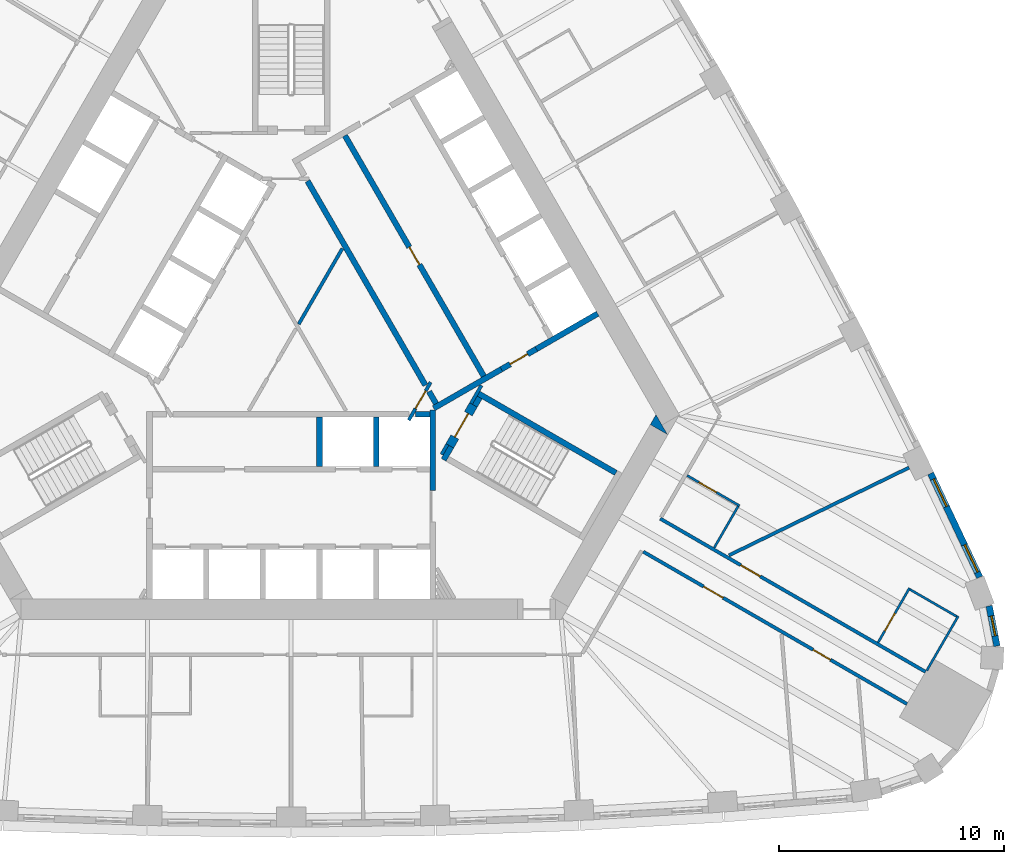
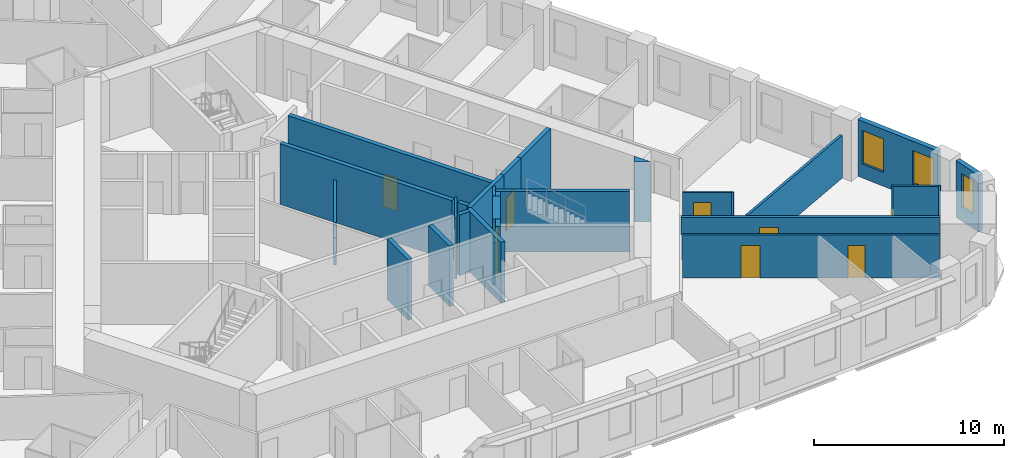
# One storey, part 8 of 13: 29 walls, 9 doors, 3 windows, 12 openings.
"""IFC4 building model written with IfcOpenShell, lengths in metres."""

from ifc_helpers import new_model, si_unit, direction, frame, frame_2d, origin, place, context, subcontext, project, spatial, polyline, rectangle, outline, extrude, material, layer, layer_set, type_object, element, fill, save


model = new_model("IFC4")

# Units and contexts
model_context = context("Model", 3, precision=1e-05, world=origin(), true_north=direction((0.0, 1.0)))
body_context = subcontext(model_context, "Body", "Model", "MODEL_VIEW")
ifc_project = project(units=[si_unit("LENGTHUNIT", "METRE"), si_unit("AREAUNIT", "SQUARE_METRE"), si_unit("VOLUMEUNIT", "CUBIC_METRE"), si_unit("PLANEANGLEUNIT", "RADIAN"), si_unit("MASSUNIT", "GRAM", prefix="KILO")], contexts=[model_context])

# Site, building, storey
site_placement = place(None, origin())
site = spatial("IfcSite", under=ifc_project, at=site_placement, CompositionType="ELEMENT")
building_placement = place(site_placement, origin())
building = spatial("IfcBuilding", under=site, at=building_placement, Name="Mestral Congress Tower", CompositionType="ELEMENT")
storey_placement = place(building_placement, frame((0.0, 0.0, 114.89990234375)))
storey = spatial("IfcBuildingStorey", under=building, at=storey_placement, Name="L27", CompositionType="ELEMENT", Elevation=114.89990234375)

# Walls
ifc_material_1 = material(Name="Fire-rated board partition")
ifc_layer_1 = layer(ifc_material_1, 0.14990234375)
ifc_layer_set_1 = layer_set([ifc_layer_1], Name="Fire-rated board partition")
wall_type_1 = type_object("IfcWallType", Name="Core partition 150", PredefinedType="PARTITIONING", material=ifc_layer_set_1)
wall_1_placement = place(storey_placement, frame((6.94482421875, -5.22216796875, 0.0), z_axis=(0.0, 0.0, 1.0), x_axis=(-0.499818422106, -0.866130212453, 0.0)))
element("IfcWall", 1, at=wall_1_placement, inside=storey, type_object=wall_type_1, Name="L27 core wall", PredefinedType="PARTITIONING", context=body_context, shape_type="SweptSolid", body=[
    extrude(rectangle(XDim=0.513916015625, YDim=0.14990234375, at=frame_2d((0.2568359375, 0.0))), origin(), (0.0, 0.0, 1.0), 2.75),
])
wall_2_placement = place(storey_placement, frame((0.3359375, 0.1318359375, 0.0), z_axis=(0.0, 0.0, 1.0), x_axis=(0.500001957507, 0.866024273614, 0.0)))
element("IfcWall", 2, at=wall_2_placement, inside=storey, type_object=wall_type_1, Name="L27 core wall", PredefinedType="PARTITIONING", context=body_context, shape_type="SweptSolid", body=[
    extrude(rectangle(XDim=3.88134765625, YDim=0.14990234375, at=frame_2d((1.940673828125, 0.0))), origin(), (0.0, 0.0, 1.0), 2.75),
])
ifc_material_2 = material(Name="Concrete C60/75", Category="concrete")
ifc_layer_2 = layer(ifc_material_2, 0.89990234375)
ifc_layer_set_2 = layer_set([ifc_layer_2], Name="Concrete C60/75")
wall_type_2 = type_object("IfcWallType", Name="Core wall RC 900", PredefinedType="SOLIDWALL", material=ifc_layer_set_2)
wall_3_placement = place(storey_placement, origin())
element("IfcWall", 3, at=wall_3_placement, inside=storey, type_object=wall_type_2, Name="L27 core wall", PredefinedType="SOLIDWALL", context=body_context, shape_type="SweptSolid", body=[
    extrude(outline(polyline([(16.223388671875, -3.89990234375), (16.731689453125, -4.780029296875), (15.969482421875, -4.33984375), (16.223388671875, -3.89990234375)])), origin(), (0.0, 0.0, 1.0), 3.900146484375),
])

# Wall, opening, window
ifc_material_3 = material(Name="Precast concrete C40/50 with limestone facing", Category="masonry")
ifc_layer_3 = layer(ifc_material_3, 0.2900390625)
ifc_layer_set_3 = layer_set([ifc_layer_3], Name="Precast concrete C40/50 with limestone facing")
wall_type_3 = type_object("IfcWallType", Name="Facade stone wall 290", PredefinedType="SOLIDWALL", material=ifc_layer_set_3)
wall_4_placement = place(storey_placement, frame((31.385498046875, -14.189208984375, 0.0), z_axis=(0.0, 0.0, 1.0), x_axis=(-0.190409913989, 0.981704672829, 0.0)))
wall_4 = element("IfcWall", 4, at=wall_4_placement, inside=storey, type_object=wall_type_3, Name="Facade wall K0-3", PredefinedType="SOLIDWALL", context=body_context, shape_type="SweptSolid", body=[
    extrude(rectangle(XDim=1.8193359375, YDim=0.2900390625, at=frame_2d((0.90966796875, 0.0))), origin(), (0.0, 0.0, 1.0), 3.650146484375),
])
opening_1_placement = place(wall_4_placement, frame((0.459716796875, 0.0, 0.89990234375)))
opening_1 = element("IfcOpeningElement", 5, at=opening_1_placement, cuts=wall_4, Name="Opening W3", PredefinedType="OPENING", context=body_context, shape_type="SweptSolid", body=[
    extrude(rectangle(XDim=0.89990234375, YDim=2.14990234375, at=frame_2d((0.449951171875, 1.074951171875))), frame((0.0, 0.155029296875, 0.0), z_axis=(0.0, -1.0, 0.0), x_axis=(1.0, 0.0, 0.0)), (0.0, 0.0, 1.0), 0.31005859375),
])
ifc_material_4 = material(Name="Clear low-emissivity double glazing", Category="glass")
window_type_1 = type_object("IfcWindowType", Name="Facade punched window 900 x 2150 sill 900", PartitioningType="SINGLE_PANEL", PredefinedType="WINDOW", material=ifc_material_4)
window_1_placement = place(opening_1_placement, origin())
window_1 = element("IfcWindow", 6, at=window_1_placement, inside=storey, type_object=window_type_1, Name="Window K0-3", OverallHeight=2.14990234375, OverallWidth=0.89990234375, PartitioningType="SINGLE_PANEL", PredefinedType="WINDOW", context=body_context, shape_type="SweptSolid", body=[
    extrude(rectangle(XDim=0.89990234375, YDim=2.14990234375, at=frame_2d((0.449951171875, 1.074951171875))), frame((0.0, 0.01513671875, 0.0), z_axis=(0.0, -1.0, 0.0), x_axis=(1.0, 0.0, 0.0)), (0.0, 0.0, 1.0), 0.06005859375),
])
fill(opening_1, window_1)

# Wall, openings, windows
wall_5_placement = place(storey_placement, frame((30.61962890625, -11.127197265625, 0.0), z_axis=(0.0, 0.0, 1.0), x_axis=(-0.427543726596, 0.903994669148, 0.0)))
wall_5 = element("IfcWall", 7, at=wall_5_placement, inside=storey, type_object=wall_type_3, Name="Facade wall F1-00", PredefinedType="SOLIDWALL", context=body_context, shape_type="SweptSolid", body=[
    extrude(rectangle(XDim=5.106689453125, YDim=0.2900390625, at=frame_2d((2.55322265625, 0.0))), origin(), (0.0, 0.0, 1.0), 3.650146484375),
])
opening_2_placement = place(wall_5_placement, frame((0.240478515625, 0.0, 0.89990234375)))
opening_2 = element("IfcOpeningElement", 8, at=opening_2_placement, cuts=wall_5, Name="Opening W2", PredefinedType="OPENING", context=body_context, shape_type="SweptSolid", body=[
    extrude(rectangle(XDim=1.35009765625, YDim=2.14990234375, at=frame_2d((0.675048828125, 1.074951171875))), frame((0.0, 0.155029296875, 0.0), z_axis=(0.0, -1.0, 0.0), x_axis=(1.0, 0.0, 0.0)), (0.0, 0.0, 1.0), 0.31005859375),
])
opening_3_placement = place(wall_5_placement, frame((3.47119140625, 0.0, 0.89990234375)))
opening_3 = element("IfcOpeningElement", 9, at=opening_3_placement, cuts=wall_5, Name="Opening W2", PredefinedType="OPENING", context=body_context, shape_type="SweptSolid", body=[
    extrude(rectangle(XDim=1.35009765625, YDim=2.14990234375, at=frame_2d((0.675048828125, 1.074951171875))), frame((0.0, 0.155029296875, 0.0), z_axis=(0.0, -1.0, 0.0), x_axis=(1.0, 0.0, 0.0)), (0.0, 0.0, 1.0), 0.31005859375),
])
window_type_2 = type_object("IfcWindowType", Name="Facade punched window 1350 x 2150 sill 900", PartitioningType="DOUBLE_PANEL_VERTICAL", PredefinedType="WINDOW", material=ifc_material_4)
window_2_placement = place(opening_2_placement, origin())
window_2 = element("IfcWindow", 10, at=window_2_placement, inside=storey, type_object=window_type_2, Name="Window F1-00a", OverallHeight=2.14990234375, OverallWidth=1.35009765625, PartitioningType="DOUBLE_PANEL_VERTICAL", PredefinedType="WINDOW", context=body_context, shape_type="SweptSolid", body=[
    extrude(rectangle(XDim=1.35009765625, YDim=2.14990234375, at=frame_2d((0.675048828125, 1.074951171875))), frame((0.0, 0.01513671875, 0.0), z_axis=(0.0, -1.0, 0.0), x_axis=(1.0, 0.0, 0.0)), (0.0, 0.0, 1.0), 0.06005859375),
])
fill(opening_2, window_2)
window_3_placement = place(opening_3_placement, origin())
window_3 = element("IfcWindow", 11, at=window_3_placement, inside=storey, type_object=window_type_2, Name="Window F1-00b", OverallHeight=2.14990234375, OverallWidth=1.35009765625, PartitioningType="DOUBLE_PANEL_VERTICAL", PredefinedType="WINDOW", context=body_context, shape_type="SweptSolid", body=[
    extrude(rectangle(XDim=1.35009765625, YDim=2.14990234375, at=frame_2d((0.675048828125, 1.074951171875))), frame((0.0, 0.01513671875, 0.0), z_axis=(0.0, -1.0, 0.0), x_axis=(1.0, 0.0, 0.0)), (0.0, 0.0, 1.0), 0.06005859375),
])
fill(opening_3, window_3)

# Wall, opening, door
ifc_material_5 = material(Name="Gypsum board partition on metal studs with mineral wool", Category="composite")
ifc_layer_4 = layer(ifc_material_5, 0.10009765625)
ifc_layer_set_4 = layer_set([ifc_layer_4], Name="Gypsum board partition on metal studs with mineral wool")
wall_type_4 = type_object("IfcWallType", Name="Hotel partition wall 100", PredefinedType="PARTITIONING", material=ifc_layer_set_4)
wall_6_placement = place(storey_placement, frame((27.50048828125, -11.60498046875, 0.0), z_axis=(0.0, 0.0, 1.0), x_axis=(-0.500049511043, -0.865996816683, 0.0)))
wall_6 = element("IfcWall", 12, at=wall_6_placement, inside=storey, type_object=wall_type_4, Name="L27-h-pod08a", PredefinedType="PARTITIONING", context=body_context, shape_type="SweptSolid", body=[
    extrude(rectangle(XDim=2.800048828125, YDim=0.10009765625, at=frame_2d((1.39990234375, 0.0))), origin(), (0.0, 0.0, 1.0), 2.75),
])
opening_4_placement = place(wall_6_placement, frame((1.300048828125, 0.0, 0.0)))
opening_4 = element("IfcOpeningElement", 13, at=opening_4_placement, cuts=wall_6, Name="Opening H08-013", PredefinedType="OPENING", context=body_context, shape_type="SweptSolid", body=[
    extrude(rectangle(XDim=0.89990234375, YDim=2.10009765625, at=frame_2d((0.449951171875, 1.050048828125))), frame((0.0, 0.06005859375, 0.0), z_axis=(0.0, -1.0, 0.0), x_axis=(1.0, 0.0, 0.0)), (0.0, 0.0, 1.0), 0.1201171875),
])
ifc_material_6 = material(Name="Timber veneer door leaf in timber frame", Category="wood")
door_type_1 = type_object("IfcDoorType", Name="Bathroom door 900", OperationType="SINGLE_SWING_LEFT", PredefinedType="DOOR", material=ifc_material_6)
door_1_placement = place(opening_4_placement, origin())
door_1 = element("IfcDoor", 14, at=door_1_placement, inside=storey, type_object=door_type_1, Name="L27-h-d013", OperationType="SINGLE_SWING_LEFT", OverallHeight=2.10009765625, OverallWidth=0.89990234375, PredefinedType="DOOR", context=body_context, shape_type="SweptSolid", body=[
    extrude(rectangle(XDim=0.89990234375, YDim=2.10009765625, at=frame_2d((0.449951171875, 1.050048828125))), frame((0.0, 0.02490234375, 0.0), z_axis=(0.0, -1.0, 0.0), x_axis=(1.0, 0.0, 0.0)), (0.0, 0.0, 1.0), 0.050048828125),
])
fill(opening_4, door_1)

# Walls
wall_7_placement = place(storey_placement, frame((27.518798828125, -11.67333984375, 0.0), z_axis=(0.0, 0.0, 1.0), x_axis=(0.866024647952, -0.500001309137, 0.0)))
element("IfcWall", 15, at=wall_7_placement, inside=storey, type_object=wall_type_4, Name="L27-h-pod08b", PredefinedType="PARTITIONING", context=body_context, shape_type="SweptSolid", body=[
    extrude(rectangle(XDim=2.39990234375, YDim=0.10009765625, at=frame_2d((1.199951171875, 0.0))), origin(), (0.0, 0.0, 1.0), 2.75),
])
wall_8_placement = place(storey_placement, frame((28.265380859375, -15.27978515625, 0.0), z_axis=(0.0, 0.0, 1.0), x_axis=(0.500049511043, 0.865996816683, 0.0)))
element("IfcWall", 16, at=wall_8_placement, inside=storey, type_object=wall_type_4, Name="L27-h-pod08c", PredefinedType="PARTITIONING", context=body_context, shape_type="SweptSolid", body=[
    extrude(rectangle(XDim=2.800048828125, YDim=0.10009765625, at=frame_2d((1.39990234375, 0.0))), origin(), (0.0, 0.0, 1.0), 2.75),
])

# Wall, opening, door
wall_9_placement = place(storey_placement, frame((19.945556640625, -7.953369140625, 0.0), z_axis=(0.0, 0.0, 1.0), x_axis=(-0.86599734893, 0.500048589285, 0.0)))
wall_9 = element("IfcWall", 17, at=wall_9_placement, inside=storey, type_object=wall_type_4, Name="L27-h-pod09a", PredefinedType="PARTITIONING", context=body_context, shape_type="SweptSolid", body=[
    extrude(rectangle(XDim=2.699951171875, YDim=0.10009765625, at=frame_2d((1.35009765625, 0.0))), origin(), (0.0, 0.0, 1.0), 2.75),
])
opening_5_placement = place(wall_9_placement, frame((1.199951171875, 0.0, 0.0)))
opening_5 = element("IfcOpeningElement", 18, at=opening_5_placement, cuts=wall_9, Name="Opening H08-015", PredefinedType="OPENING", context=body_context, shape_type="SweptSolid", body=[
    extrude(rectangle(XDim=0.89990234375, YDim=2.10009765625, at=frame_2d((0.449951171875, 1.050048828125))), frame((0.0, 0.06005859375, 0.0), z_axis=(0.0, -1.0, 0.0), x_axis=(1.0, 0.0, 0.0)), (0.0, 0.0, 1.0), 0.1201171875),
])
door_2_placement = place(opening_5_placement, origin())
door_2 = element("IfcDoor", 19, at=door_2_placement, inside=storey, type_object=door_type_1, Name="L27-h-d015", OperationType="SINGLE_SWING_RIGHT", OverallHeight=2.10009765625, OverallWidth=0.89990234375, PredefinedType="DOOR", context=body_context, shape_type="SweptSolid", body=[
    extrude(rectangle(XDim=0.89990234375, YDim=2.10009765625, at=frame_2d((0.449951171875, 1.050048828125))), frame((0.0, 0.02490234375, 0.0), z_axis=(0.0, -1.0, 0.0), x_axis=(1.0, 0.0, 0.0)), (0.0, 0.0, 1.0), 0.050048828125),
])
fill(opening_5, door_2)

# Wall
wall_10_placement = place(storey_placement, frame((19.877197265625, -7.9716796875, 0.0), z_axis=(0.0, 0.0, 1.0), x_axis=(-0.500010206181, -0.866019511163, 0.0)))
element("IfcWall", 20, at=wall_10_placement, inside=storey, type_object=wall_type_4, Name="L27-h-pod09b", PredefinedType="PARTITIONING", context=body_context, shape_type="SweptSolid", body=[
    extrude(rectangle(XDim=2.1298828125, YDim=0.10009765625, at=frame_2d((1.06494140625, 0.0))), origin(), (0.0, 0.0, 1.0), 2.75),
])

# Wall, opening, door
ifc_layer_5 = layer(ifc_material_5, 0.14990234375)
ifc_layer_set_5 = layer_set([ifc_layer_5], Name="Gypsum board partition on metal studs with mineral wool")
wall_type_5 = type_object("IfcWallType", Name="Hotel partition wall 150", PredefinedType="PARTITIONING", material=ifc_layer_set_5)
wall_11_placement = place(storey_placement, frame((16.412353515625, -8.52294921875, 0.0), z_axis=(0.0, 0.0, 1.0), x_axis=(0.866025629663, -0.499999608766, 0.0)))
wall_11 = element("IfcWall", 21, at=wall_11_placement, inside=storey, type_object=wall_type_5, Name="L27-h-cw01", PredefinedType="PARTITIONING", context=body_context, shape_type="SweptSolid", body=[
    extrude(rectangle(XDim=13.62353515625, YDim=0.14990234375, at=frame_2d((6.811767578125, 0.0))), origin(), (0.0, 0.0, 1.0), 2.75),
])
opening_6_placement = place(wall_11_placement, frame((4.134033203125, 0.0, 0.0)))
opening_6 = element("IfcOpeningElement", 22, at=opening_6_placement, cuts=wall_11, Name="Opening H08-012", PredefinedType="OPENING", context=body_context, shape_type="SweptSolid", body=[
    extrude(rectangle(XDim=1.0, YDim=2.10009765625, at=frame_2d((0.5, 1.050048828125))), frame((0.0, 0.0849609375, 0.0), z_axis=(0.0, -1.0, 0.0), x_axis=(1.0, 0.0, 0.0)), (0.0, 0.0, 1.0), 0.169921875),
])
ifc_material_7 = material(Name="Timber veneer door leaf in metal frame", Category="wood")
door_type_2 = type_object("IfcDoorType", Name="Guest room entrance door 1000", OperationType="SINGLE_SWING_LEFT", PredefinedType="DOOR", material=ifc_material_7)
door_3_placement = place(opening_6_placement, origin())
door_3 = element("IfcDoor", 23, at=door_3_placement, inside=storey, type_object=door_type_2, Name="L27-h-d012", OperationType="SINGLE_SWING_LEFT", OverallHeight=2.10009765625, OverallWidth=1.0, PredefinedType="DOOR", context=body_context, shape_type="SweptSolid", body=[
    extrude(rectangle(XDim=1.0, YDim=2.10009765625, at=frame_2d((0.5, 1.050048828125))), frame((0.0, 0.02490234375, 0.0), z_axis=(0.0, -1.0, 0.0), x_axis=(1.0, 0.0, 0.0)), (0.0, 0.0, 1.0), 0.050048828125),
])
fill(opening_6, door_3)

# Wall, openings, doors
wall_12_placement = place(storey_placement, frame((27.3857421875, -16.763916015625, 0.0), z_axis=(0.0, 0.0, 1.0), x_axis=(-0.866022585856, 0.500004880763, 0.0)))
wall_12 = element("IfcWall", 24, at=wall_12_placement, inside=storey, type_object=wall_type_5, Name="L27-h-cw15", PredefinedType="PARTITIONING", context=body_context, shape_type="SweptSolid", body=[
    extrude(rectangle(XDim=13.543701171875, YDim=0.14990234375, at=frame_2d((6.77197265625, 0.0))), origin(), (0.0, 0.0, 1.0), 2.75),
])
opening_7_placement = place(wall_12_placement, frame((9.447021484375, 0.0, 0.0)))
opening_7 = element("IfcOpeningElement", 25, at=opening_7_placement, cuts=wall_12, Name="Opening H08-010", PredefinedType="OPENING", context=body_context, shape_type="SweptSolid", body=[
    extrude(rectangle(XDim=1.0, YDim=2.10009765625, at=frame_2d((0.5, 1.050048828125))), frame((0.0, 0.0849609375, 0.0), z_axis=(0.0, -1.0, 0.0), x_axis=(1.0, 0.0, 0.0)), (0.0, 0.0, 1.0), 0.169921875),
])
opening_8_placement = place(wall_12_placement, frame((3.926025390625, 0.0, 0.0)))
opening_8 = element("IfcOpeningElement", 26, at=opening_8_placement, cuts=wall_12, Name="Opening H08-011", PredefinedType="OPENING", context=body_context, shape_type="SweptSolid", body=[
    extrude(rectangle(XDim=0.89990234375, YDim=2.10009765625, at=frame_2d((0.449951171875, 1.050048828125))), frame((0.0, 0.0849609375, 0.0), z_axis=(0.0, -1.0, 0.0), x_axis=(1.0, 0.0, 0.0)), (0.0, 0.0, 1.0), 0.169921875),
])
door_4_placement = place(opening_7_placement, origin())
door_4 = element("IfcDoor", 27, at=door_4_placement, inside=storey, type_object=door_type_2, Name="L27-h-d010", OperationType="SINGLE_SWING_RIGHT", OverallHeight=2.10009765625, OverallWidth=1.0, PredefinedType="DOOR", context=body_context, shape_type="SweptSolid", body=[
    extrude(rectangle(XDim=1.0, YDim=2.10009765625, at=frame_2d((0.5, 1.050048828125))), frame((0.0, 0.02490234375, 0.0), z_axis=(0.0, -1.0, 0.0), x_axis=(1.0, 0.0, 0.0)), (0.0, 0.0, 1.0), 0.050048828125),
])
fill(opening_7, door_4)
door_type_3 = type_object("IfcDoorType", Name="Service room door 900", OperationType="SINGLE_SWING_LEFT", PredefinedType="DOOR", material=ifc_material_7)
door_5_placement = place(opening_8_placement, origin())
door_5 = element("IfcDoor", 28, at=door_5_placement, inside=storey, type_object=door_type_3, Name="L27-h-d011", OperationType="SINGLE_SWING_LEFT", OverallHeight=2.10009765625, OverallWidth=0.89990234375, PredefinedType="DOOR", context=body_context, shape_type="SweptSolid", body=[
    extrude(rectangle(XDim=0.89990234375, YDim=2.10009765625, at=frame_2d((0.449951171875, 1.050048828125))), frame((0.0, 0.02490234375, 0.0), z_axis=(0.0, -1.0, 0.0), x_axis=(1.0, 0.0, 0.0)), (0.0, 0.0, 1.0), 0.050048828125),
])
fill(opening_8, door_5)

# Walls
wall_13_placement = place(storey_placement, frame((27.478271484375, -6.2509765625, 0.0), z_axis=(0.0, 0.0, 1.0), x_axis=(-0.898940618603, -0.438070501432, 0.0)))
element("IfcWall", 29, at=wall_13_placement, inside=storey, type_object=wall_type_5, Name="L27-h-pw24", PredefinedType="PARTITIONING", context=body_context, shape_type="SweptSolid", body=[
    extrude(rectangle(XDim=8.9091796875, YDim=0.14990234375, at=frame_2d((4.45458984375, 0.0))), origin(), (0.0, 0.0, 1.0), 2.75),
])
ifc_layer_6 = layer(ifc_material_2, 0.25)
ifc_layer_set_6 = layer_set([ifc_layer_6], Name="Concrete C60/75")
wall_type_6 = type_object("IfcWallType", Name="Shaft wall RC 250", PredefinedType="SOLIDWALL", material=ifc_layer_set_6)
for number, where, z_axis, x_axis, name in (
    (30, (3.780029296875, -4.0, 0.0), (0.0, 0.0, 1.0), (0.0, -1.0, 0.0), "L27 core wall"),
    (31, (1.260009765625, -4.0, 0.0), (0.0, 0.0, 1.0), (0.0, -1.0, 0.0), "L27 core wall"),
):
    element("IfcWall", number, at=place(storey_placement, frame(where, z_axis=z_axis, x_axis=x_axis)), inside=storey, type_object=wall_type_6, Name=name, PredefinedType="SOLIDWALL", context=body_context, shape_type="SweptSolid", body=[
        extrude(rectangle(XDim=2.199951171875, YDim=0.25, at=frame_2d((1.10009765625, 0.0))), origin(), (0.0, 0.0, 1.0), 3.900146484375),
    ])
wall_14_placement = place(storey_placement, frame((6.300048828125, -7.27001953125, 0.0), z_axis=(0.0, 0.0, 1.0), x_axis=(0.0, 1.0, 0.0)))
element("IfcWall", 32, at=wall_14_placement, inside=storey, type_object=wall_type_6, Name="L27 core wall", PredefinedType="SOLIDWALL", context=body_context, shape_type="SweptSolid", body=[
    extrude(rectangle(XDim=3.586181640625, YDim=0.25, at=frame_2d((1.79296875, 0.0))), origin(), (0.0, 0.0, 1.0), 3.900146484375),
])
wall_15_placement = place(storey_placement, frame((5.538330078125, -3.875, 0.0), z_axis=(0.0, 0.0, 1.0), x_axis=(1.0, 0.0, 0.0)))
element("IfcWall", 33, at=wall_15_placement, inside=storey, type_object=wall_type_6, Name="L27 core wall", PredefinedType="SOLIDWALL", context=body_context, shape_type="SweptSolid", body=[
    extrude(rectangle(XDim=0.63671875, YDim=0.25, at=frame_2d((0.318359375, 0.0))), origin(), (0.0, 0.0, 1.0), 3.900146484375),
])
wall_16_placement = place(storey_placement, frame((13.62890625, 0.593994140625, 0.0), z_axis=(0.0, 0.0, 1.0), x_axis=(-0.86602790099, -0.499995674689, 0.0)))
element("IfcWall", 34, at=wall_16_placement, inside=storey, type_object=wall_type_6, Name="L27 core wall", PredefinedType="SOLIDWALL", context=body_context, shape_type="SweptSolid", body=[
    extrude(rectangle(XDim=3.1455078125, YDim=0.25, at=frame_2d((1.57275390625, 0.0))), origin(), (0.0, 0.0, 1.0), 3.900146484375),
])
wall_17_placement = place(storey_placement, frame((9.345703125, -1.87890625, 0.0), z_axis=(0.0, 0.0, 1.0), x_axis=(-0.866048528039, -0.499959945477, 0.0)))
element("IfcWall", 35, at=wall_17_placement, inside=storey, type_object=wall_type_6, Name="L27 core wall", PredefinedType="SOLIDWALL", context=body_context, shape_type="SweptSolid", body=[
    extrude(rectangle(XDim=3.470458984375, YDim=0.25, at=frame_2d((1.7353515625, 0.0))), origin(), (0.0, 0.0, 1.0), 3.900146484375),
])
wall_18_placement = place(storey_placement, frame((6.1298828125, -2.867431640625, 0.0), z_axis=(0.0, 0.0, 1.0), x_axis=(0.500160776593, -0.865932559475, 0.0)))
element("IfcWall", 36, at=wall_18_placement, inside=storey, type_object=wall_type_6, Name="L27 core wall", PredefinedType="SOLIDWALL", context=body_context, shape_type="SweptSolid", body=[
    extrude(rectangle(XDim=0.626708984375, YDim=0.25, at=frame_2d((0.3134765625, 0.0))), origin(), (0.0, 0.0, 1.0), 3.900146484375),
])
wall_19_placement = place(storey_placement, frame((5.970458984375, -2.591064453125, 0.0), z_axis=(0.0, 0.0, 1.0), x_axis=(-0.499994469932, 0.866028596547, 0.0)))
element("IfcWall", 37, at=wall_19_placement, inside=storey, type_object=wall_type_6, Name="L27 core wall", PredefinedType="SOLIDWALL", context=body_context, shape_type="SweptSolid", body=[
    extrude(rectangle(XDim=10.48828125, YDim=0.25, at=frame_2d((5.244140625, 0.0))), origin(), (0.0, 0.0, 1.0), 3.900146484375),
])

# Wall, opening, door
wall_20_placement = place(storey_placement, frame((8.565185546875, -2.185302734375, 0.0), z_axis=(0.0, 0.0, 1.0), x_axis=(-0.499997954832, 0.866026584559, 0.0)))
wall_20 = element("IfcWall", 38, at=wall_20_placement, inside=storey, type_object=wall_type_6, Name="L27 door wall", PredefinedType="SOLIDWALL", context=body_context, shape_type="SweptSolid", body=[
    extrude(rectangle(XDim=12.35009765625, YDim=0.25, at=frame_2d((6.175048828125, 0.0))), origin(), (0.0, 0.0, 1.0), 3.900146484375),
])
opening_9_placement = place(wall_20_placement, frame((5.72509765625, 0.0, 0.0)))
opening_9 = element("IfcOpeningElement", 39, at=opening_9_placement, cuts=wall_20, Name="Opening SR-NEB1", PredefinedType="OPENING", context=body_context, shape_type="SweptSolid", body=[
    extrude(rectangle(XDim=0.89990234375, YDim=2.10009765625, at=frame_2d((0.449951171875, 1.050048828125))), frame((0.0, 0.135009765625, 0.0), z_axis=(0.0, -1.0, 0.0), x_axis=(1.0, 0.0, 0.0)), (0.0, 0.0, 1.0), 0.27001953125),
])
ifc_material_8 = material(Name="Fire-rated steel door set", Category="steel")
door_type_4 = type_object("IfcDoorType", Name="Core door SR 900x2100", OperationType="SINGLE_SWING_LEFT", PredefinedType="DOOR", material=ifc_material_8)
door_6_placement = place(opening_9_placement, origin())
door_6 = element("IfcDoor", 40, at=door_6_placement, inside=storey, type_object=door_type_4, Name="Door SR-NEB1", OperationType="SINGLE_SWING_LEFT", OverallHeight=2.10009765625, OverallWidth=0.89990234375, PredefinedType="DOOR", context=body_context, shape_type="SweptSolid", body=[
    extrude(rectangle(XDim=0.89990234375, YDim=2.10009765625, at=frame_2d((0.449951171875, 1.050048828125))), frame((0.0, 0.02490234375, 0.0), z_axis=(0.0, -1.0, 0.0), x_axis=(1.0, 0.0, 0.0)), (0.0, 0.0, 1.0), 0.050048828125),
])
fill(opening_9, door_6)

wall_21_placement = place(storey_placement, frame((9.345947265625, -1.878662109375, 0.0), z_axis=(0.0, 0.0, 1.0), x_axis=(0.866047807691, 0.499961193289, 0.0)))
wall_21 = element("IfcWall", 41, at=wall_21_placement, inside=storey, type_object=wall_type_6, Name="L27 door wall", PredefinedType="SOLIDWALL", context=body_context, shape_type="SweptSolid", body=[
    extrude(rectangle(XDim=1.800048828125, YDim=0.25, at=frame_2d((0.89990234375, 0.0))), origin(), (0.0, 0.0, 1.0), 3.900146484375),
])
opening_10_placement = place(wall_21_placement, frame((0.449951171875, 0.0, 0.0)))
opening_10 = element("IfcOpeningElement", 42, at=opening_10_placement, cuts=wall_21, Name="Opening TD1", PredefinedType="OPENING", context=body_context, shape_type="SweptSolid", body=[
    extrude(rectangle(XDim=0.89990234375, YDim=2.10009765625, at=frame_2d((0.449951171875, 1.050048828125))), frame((0.0, 0.135009765625, 0.0), z_axis=(0.0, -1.0, 0.0), x_axis=(1.0, 0.0, 0.0)), (0.0, 0.0, 1.0), 0.27001953125),
])
door_7_placement = place(opening_10_placement, origin())
door_7 = element("IfcDoor", 43, at=door_7_placement, inside=storey, type_object=door_type_4, Name="Door TD1", OperationType="SINGLE_SWING_LEFT", OverallHeight=2.10009765625, OverallWidth=0.89990234375, PredefinedType="DOOR", context=body_context, shape_type="SweptSolid", body=[
    extrude(rectangle(XDim=0.89990234375, YDim=2.10009765625, at=frame_2d((0.449951171875, 1.050048828125))), frame((0.0, 0.02490234375, 0.0), z_axis=(0.0, -1.0, 0.0), x_axis=(1.0, 0.0, 0.0)), (0.0, 0.0, 1.0), 0.050048828125),
])
fill(opening_10, door_7)

# Wall
ifc_layer_7 = layer(ifc_material_2, 0.14990234375)
ifc_layer_set_7 = layer_set([ifc_layer_7], Name="Concrete C60/75")
wall_type_7 = type_object("IfcWallType", Name="Shaft wall RC 250 door-wall 150", PredefinedType="SOLIDWALL", material=ifc_layer_set_7)
wall_22_placement = place(storey_placement, frame((8.459228515625, -2.59912109375, 0.0), z_axis=(0.0, 0.0, 1.0), x_axis=(-0.500041054325, -0.866001699761, 0.0)))
element("IfcWall", 44, at=wall_22_placement, inside=storey, type_object=wall_type_7, Name="L27 core wall", PredefinedType="PARTITIONING", context=body_context, shape_type="SweptSolid", body=[
    extrude(rectangle(XDim=0.9287109375, YDim=0.14990234375, at=frame_2d((0.46435546875, 0.0))), origin(), (0.0, 0.0, 1.0), 3.900146484375),
])

# Wall, opening, door
wall_23_placement = place(storey_placement, frame((6.203369140625, -2.45556640625, 0.0), z_axis=(0.0, 0.0, 1.0), x_axis=(-0.500043961785, -0.866000020948, 0.0)))
wall_23 = element("IfcWall", 45, at=wall_23_placement, inside=storey, type_object=wall_type_7, Name="L27 door wall", PredefinedType="PARTITIONING", context=body_context, shape_type="SweptSolid", body=[
    extrude(rectangle(XDim=1.949951171875, YDim=0.14990234375, at=frame_2d((0.97509765625, 0.0))), origin(), (0.0, 0.0, 1.0), 3.900146484375),
])
opening_11_placement = place(wall_23_placement, frame((0.449951171875, 0.0, 0.0)))
opening_11 = element("IfcOpeningElement", 46, at=opening_11_placement, cuts=wall_23, Name="Opening CD1-HUB0", PredefinedType="OPENING", context=body_context, shape_type="SweptSolid", body=[
    extrude(rectangle(XDim=0.89990234375, YDim=2.10009765625, at=frame_2d((0.449951171875, 1.050048828125))), frame((0.0, 0.0849609375, 0.0), z_axis=(0.0, -1.0, 0.0), x_axis=(1.0, 0.0, 0.0)), (0.0, 0.0, 1.0), 0.169921875),
])
door_type_5 = type_object("IfcDoorType", Name="Core door CD 900x2100", OperationType="SINGLE_SWING_LEFT", PredefinedType="DOOR", material=ifc_material_8)
door_8_placement = place(opening_11_placement, origin())
door_8 = element("IfcDoor", 47, at=door_8_placement, inside=storey, type_object=door_type_5, Name="Door CD1-HUB0", OperationType="SINGLE_SWING_LEFT", OverallHeight=2.10009765625, OverallWidth=0.89990234375, PredefinedType="DOOR", context=body_context, shape_type="SweptSolid", body=[
    extrude(rectangle(XDim=0.89990234375, YDim=2.10009765625, at=frame_2d((0.449951171875, 1.050048828125))), frame((0.0, 0.02490234375, 0.0), z_axis=(0.0, -1.0, 0.0), x_axis=(1.0, 0.0, 0.0)), (0.0, 0.0, 1.0), 0.050048828125),
])
fill(opening_11, door_8)

# Walls
ifc_layer_8 = layer(ifc_material_2, 0.25)
ifc_layer_set_8 = layer_set([ifc_layer_8], Name="Concrete C60/75")
wall_type_8 = type_object("IfcWallType", Name="Stair wall RC 250", PredefinedType="SOLIDWALL", material=ifc_layer_set_8)
wall_24_placement = place(storey_placement, frame((6.780029296875, -5.906494140625, 0.0), z_axis=(0.0, 0.0, 1.0), x_axis=(0.500223362819, 0.865896406789, 0.0)))
element("IfcWall", 48, at=wall_24_placement, inside=storey, type_object=wall_type_8, Name="L27 core wall", PredefinedType="SOLIDWALL", context=body_context, shape_type="SweptSolid", body=[
    extrude(rectangle(XDim=0.675048828125, YDim=0.25, at=frame_2d((0.33740234375, 0.0))), origin(), (0.0, 0.0, 1.0), 3.900146484375),
])
wall_25_placement = place(storey_placement, frame((8.33447265625, -2.96435546875, 0.0), z_axis=(0.0, 0.0, 1.0), x_axis=(0.866016039709, -0.500016218704, 0.0)))
element("IfcWall", 49, at=wall_25_placement, inside=storey, type_object=wall_type_8, Name="L27 core wall", PredefinedType="SOLIDWALL", context=body_context, shape_type="SweptSolid", body=[
    extrude(rectangle(XDim=7.050048828125, YDim=0.25, at=frame_2d((3.52490234375, 0.0))), origin(), (0.0, 0.0, 1.0), 3.900146484375),
])
wall_26_placement = place(storey_placement, frame((8.167724609375, -3.503173828125, 0.0), z_axis=(0.0, 0.0, 1.0), x_axis=(0.49972245349, 0.866185586049, 0.0)))
element("IfcWall", 50, at=wall_26_placement, inside=storey, type_object=wall_type_8, Name="L27 core wall", PredefinedType="SOLIDWALL", context=body_context, shape_type="SweptSolid", body=[
    extrude(rectangle(XDim=0.425048828125, YDim=0.25, at=frame_2d((0.21240234375, 0.0))), origin(), (0.0, 0.0, 1.0), 3.900146484375),
])

# Wall, opening, door
ifc_layer_9 = layer(ifc_material_2, 0.39990234375)
ifc_layer_set_9 = layer_set([ifc_layer_9], Name="Concrete C60/75")
wall_type_9 = type_object("IfcWallType", Name="Stair wall RC 250 door-wall 400", PredefinedType="SOLIDWALL", material=ifc_layer_set_9)
wall_27_placement = place(storey_placement, frame((7.052734375, -5.2841796875, 0.0), z_axis=(0.0, 0.0, 1.0), x_axis=(0.500078061341, 0.865980330357, 0.0)))
wall_27 = element("IfcWall", 51, at=wall_27_placement, inside=storey, type_object=wall_type_9, Name="L27 door wall", PredefinedType="SOLIDWALL", context=body_context, shape_type="SweptSolid", body=[
    extrude(rectangle(XDim=2.099853515625, YDim=0.39990234375, at=frame_2d((1.0498046875, 0.0))), origin(), (0.0, 0.0, 1.0), 3.900146484375),
])
opening_12_placement = place(wall_27_placement, frame((0.449951171875, 0.0, 0.0)))
opening_12 = element("IfcOpeningElement", 52, at=opening_12_placement, cuts=wall_27, Name="Opening ST-D1", PredefinedType="OPENING", context=body_context, shape_type="SweptSolid", body=[
    extrude(rectangle(XDim=1.199951171875, YDim=2.10009765625, at=frame_2d((0.60009765625, 1.050048828125))), frame((0.0, 0.2099609375, 0.0), z_axis=(0.0, -1.0, 0.0), x_axis=(1.0, 0.0, 0.0)), (0.0, 0.0, 1.0), 0.419921875),
])
door_type_6 = type_object("IfcDoorType", Name="Core door ST 1200x2100", OperationType="SINGLE_SWING_LEFT", PredefinedType="DOOR", material=ifc_material_8)
door_9_placement = place(opening_12_placement, origin())
door_9 = element("IfcDoor", 53, at=door_9_placement, inside=storey, type_object=door_type_6, Name="Door ST-D1", OperationType="SINGLE_SWING_LEFT", OverallHeight=2.10009765625, OverallWidth=1.199951171875, PredefinedType="DOOR", context=body_context, shape_type="SweptSolid", body=[
    extrude(rectangle(XDim=1.199951171875, YDim=2.10009765625, at=frame_2d((0.60009765625, 1.050048828125))), frame((0.0, 0.02490234375, 0.0), z_axis=(0.0, -1.0, 0.0), x_axis=(1.0, 0.0, 0.0)), (0.0, 0.0, 1.0), 0.050048828125),
])
fill(opening_12, door_9)

save(model, "model.ifc")
